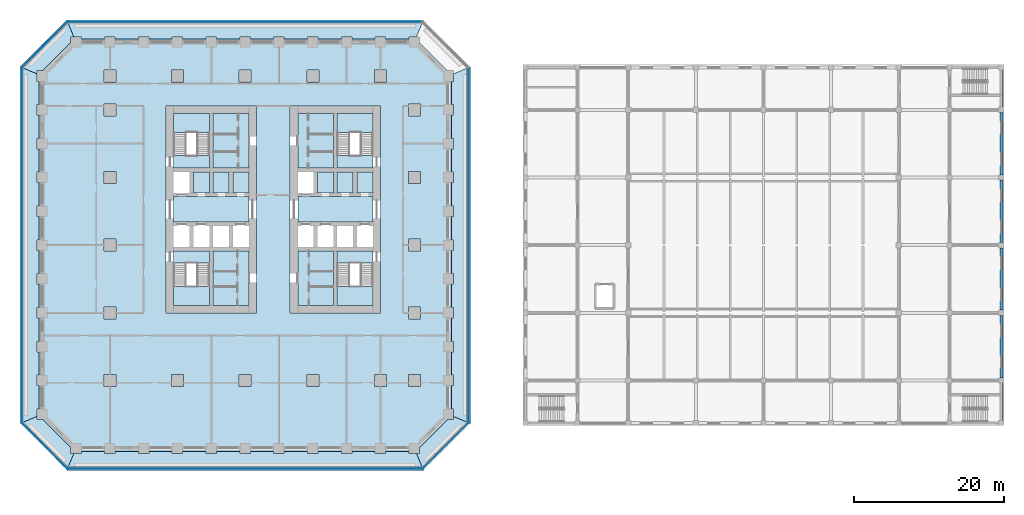
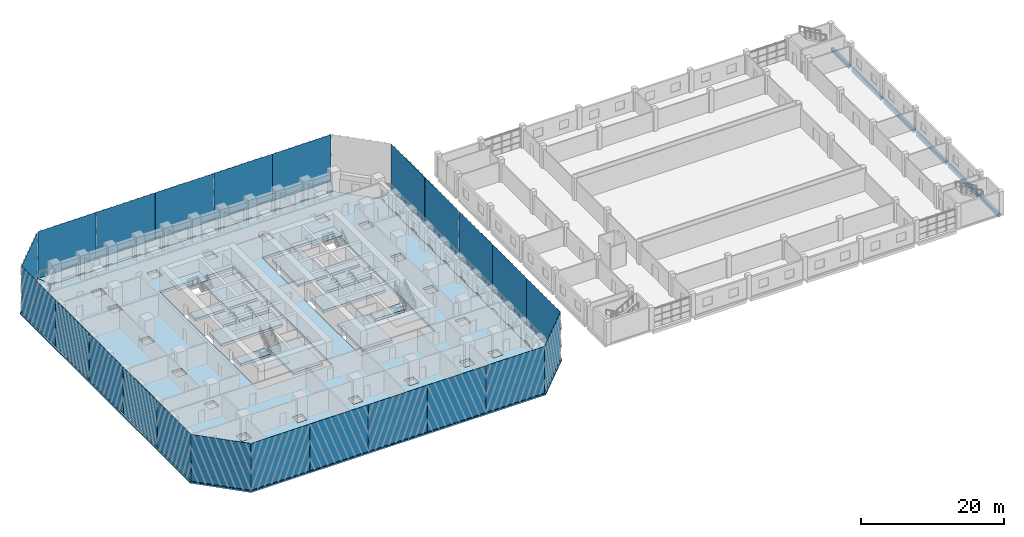
# One storey, part 9 of 31: 28 slabs, 23 plates, 6 beams, 4 elements without a shape of their own.
"""IFC4 building model written with IfcOpenShell, lengths in metres."""

from ifc_helpers import new_model, si_unit, direction, frame, origin, origin_2d, place, context, subcontext, project, spatial, polyline, rectangle, outline, extrude, material, layer, layer_set, material_profile, profile_set, type_object, element, aggregate, save


model = new_model("IFC4")

# Units and contexts
model_context = context("Model", 3, precision=1e-05, world=origin(), true_north=direction((0.0, 1.0)))
body_context = subcontext(model_context, "Body", "Model", "MODEL_VIEW")
ifc_project = project(units=[si_unit("LENGTHUNIT", "METRE"), si_unit("AREAUNIT", "SQUARE_METRE"), si_unit("VOLUMEUNIT", "CUBIC_METRE"), si_unit("PLANEANGLEUNIT", "RADIAN"), si_unit("MASSUNIT", "GRAM", prefix="KILO")], contexts=[model_context])

# Site, building, storey
site_placement = place(None, origin())
site = spatial("IfcSite", under=ifc_project, at=site_placement, CompositionType="ELEMENT")
building_placement = place(site_placement, origin())
building = spatial("IfcBuilding", under=site, at=building_placement, Name="Corbel Stack Research Tower", CompositionType="ELEMENT")
storey_placement = place(building_placement, frame((0.0, 0.0, 15.39990234375)))
storey = spatial("IfcBuildingStorey", under=building, at=storey_placement, Name="L03", CompositionType="ELEMENT", Elevation=15.39990234375)

# Beams
ifc_material_1 = material(Name="Concrete C40/50", Category="concrete")
ifc_material_profile = material_profile(ifc_material_1, rectangle(XDim=0.39990234375, YDim=0.60009765625, at=origin_2d()), Name="RC 400 x 600")
ifc_profile_set = profile_set([ifc_material_profile], Name="Concrete C40/50")
beam_type = type_object("IfcBeamType", Name="HB1 RC beam 400 x 600", PredefinedType="BEAM", material=ifc_profile_set)
beam_1_placement = place(storey_placement, frame((100.60009765625, -23.300048828125, -0.5498046875), z_axis=(0.0, 1.0, 0.0), x_axis=(-1.0, 0.0, 0.0)))
element("IfcBeam", 1, at=beam_1_placement, inside=storey, type_object=beam_type, Name="Floor beam L03 H9HA-H9HB", PredefinedType="BEAM", context=body_context, shape_type="SweptSolid", body=[
    extrude(rectangle(XDim=0.39990234375, YDim=0.60009765625, at=origin_2d()), origin(), (0.0, 0.0, 1.0), 4.949951171875),
])
for number, where, z_axis, x_axis, name in (
    (2, (100.60009765625, -17.64990234375, -0.5498046875), (0.0, 1.0, 0.0), (-1.0, 0.0, 0.0), "Floor beam L03 H9HB-H9HC"),
    (3, (100.60009765625, -8.64990234375, -0.5498046875), (0.0, 1.0, 0.0), (-1.0, 0.0, 0.0), "Floor beam L03 H9HC-H9HD"),
    (4, (100.60009765625, 0.35009765625, -0.5498046875), (0.0, 1.0, 0.0), (-1.0, 0.0, 0.0), "Floor beam L03 H9HD-H9HE"),
    (5, (100.60009765625, 9.35009765625, -0.5498046875), (0.0, 1.0, 0.0), (-1.0, 0.0, 0.0), "Floor beam L03 H9HE-H9HF"),
):
    element("IfcBeam", number, at=place(storey_placement, frame(where, z_axis=z_axis, x_axis=x_axis)), inside=storey, type_object=beam_type, Name=name, PredefinedType="BEAM", context=body_context, shape_type="SweptSolid", body=[
        extrude(rectangle(XDim=0.39990234375, YDim=0.60009765625, at=origin_2d()), origin(), (0.0, 0.0, 1.0), 8.2998046875),
    ])
beam_2_placement = place(storey_placement, frame((100.60009765625, 18.35009765625, -0.5498046875), z_axis=(0.0, 1.0, 0.0), x_axis=(-1.0, 0.0, 0.0)))
element("IfcBeam", 6, at=beam_2_placement, inside=storey, type_object=beam_type, Name="Floor beam L03 H9HF-H9HG", PredefinedType="BEAM", context=body_context, shape_type="SweptSolid", body=[
    extrude(rectangle(XDim=0.39990234375, YDim=0.60009765625, at=origin_2d()), origin(), (0.0, 0.0, 1.0), 4.949951171875),
])

# Plates
ifc_material_2 = material(Name="Fritted glass", Category="glass")
ifc_layer_1 = layer(ifc_material_2, 0.02490234375)
ifc_layer_set_1 = layer_set([ifc_layer_1], Name="Fritted glass")
plate_type = type_object("IfcPlateType", Name="Fritted glass panel 25", PredefinedType="SHEET", material=ifc_layer_set_1)
for number, where, z_axis, x_axis, name in (
    (7, (-18.911376953125, -29.737548828125, 0.0), (0.0, 0.0, 1.0), (1.0, 0.0, 0.0), "Fritted glass L03 S1"),
    (8, (-9.45556640625, -29.737548828125, 0.0), (0.0, 0.0, 1.0), (1.0, 0.0, 0.0), "Fritted glass L03 S2"),
    (9, (0.0, -29.737548828125, 0.0), (0.0, 0.0, 1.0), (1.0, 0.0, 0.0), "Fritted glass L03 S3"),
    (10, (9.45556640625, -29.737548828125, 0.0), (0.0, 0.0, 1.0), (1.0, 0.0, 0.0), "Fritted glass L03 S4"),
    (11, (18.911376953125, -29.737548828125, 0.0), (0.0, 0.0, 1.0), (1.0, 0.0, 0.0), "Fritted glass L03 S5"),
):
    element("IfcPlate", number, at=place(storey_placement, frame(where, z_axis=z_axis, x_axis=x_axis)), inside=storey, type_object=plate_type, Name=name, PredefinedType="SHEET", context=body_context, shape_type="SweptSolid", body=[
        extrude(rectangle(XDim=9.3955078125, YDim=0.02490234375, at=origin_2d()), origin(), (0.0, 0.0, 1.0), 7.949951171875),
    ])
plate_1_placement = place(storey_placement, frame((26.685791015625, -26.685791015625, 0.0), z_axis=(0.0, 0.0, 1.0), x_axis=(0.707106781187, 0.707106781187, 0.0)))
element("IfcPlate", 12, at=plate_1_placement, inside=storey, type_object=plate_type, Name="Fritted glass L03 SE1", PredefinedType="SHEET", context=body_context, shape_type="SweptSolid", body=[
    extrude(rectangle(XDim=8.58203125, YDim=0.02490234375, at=origin_2d()), origin(), (0.0, 0.0, 1.0), 7.949951171875),
])
for number, where, z_axis, x_axis, name in (
    (13, (29.737548828125, -18.911376953125, 0.0), (0.0, 0.0, 1.0), (0.0, 1.0, 0.0), "Fritted glass L03 E1"),
    (14, (29.737548828125, -9.45556640625, 0.0), (0.0, 0.0, 1.0), (0.0, 1.0, 0.0), "Fritted glass L03 E2"),
    (15, (29.737548828125, 0.0, 0.0), (0.0, 0.0, 1.0), (0.0, 1.0, 0.0), "Fritted glass L03 E3"),
    (16, (29.737548828125, 9.45556640625, 0.0), (0.0, 0.0, 1.0), (0.0, 1.0, 0.0), "Fritted glass L03 E4"),
    (17, (29.737548828125, 18.911376953125, 0.0), (0.0, 0.0, 1.0), (0.0, 1.0, 0.0), "Fritted glass L03 E5"),
    (18, (18.911376953125, 29.737548828125, 0.0), (0.0, 0.0, 1.0), (-1.0, 0.0, 0.0), "Fritted glass L03 N1"),
    (19, (9.45556640625, 29.737548828125, 0.0), (0.0, 0.0, 1.0), (-1.0, 0.0, 0.0), "Fritted glass L03 N2"),
    (20, (0.0, 29.737548828125, 0.0), (0.0, 0.0, 1.0), (-1.0, 0.0, 0.0), "Fritted glass L03 N3"),
    (21, (-9.45556640625, 29.737548828125, 0.0), (0.0, 0.0, 1.0), (-1.0, 0.0, 0.0), "Fritted glass L03 N4"),
    (22, (-18.911376953125, 29.737548828125, 0.0), (0.0, 0.0, 1.0), (-1.0, 0.0, 0.0), "Fritted glass L03 N5"),
):
    element("IfcPlate", number, at=place(storey_placement, frame(where, z_axis=z_axis, x_axis=x_axis)), inside=storey, type_object=plate_type, Name=name, PredefinedType="SHEET", context=body_context, shape_type="SweptSolid", body=[
        extrude(rectangle(XDim=9.3955078125, YDim=0.02490234375, at=origin_2d()), origin(), (0.0, 0.0, 1.0), 7.949951171875),
    ])
plate_2_placement = place(storey_placement, frame((-26.685791015625, 26.685791015625, 0.0), z_axis=(0.0, 0.0, 1.0), x_axis=(-0.707106781187, -0.707106781187, 0.0)))
element("IfcPlate", 23, at=plate_2_placement, inside=storey, type_object=plate_type, Name="Fritted glass L03 NW1", PredefinedType="SHEET", context=body_context, shape_type="SweptSolid", body=[
    extrude(rectangle(XDim=8.58203125, YDim=0.02490234375, at=origin_2d()), origin(), (0.0, 0.0, 1.0), 7.949951171875),
])
for number, where, z_axis, x_axis, name in (
    (24, (-29.737548828125, 18.911376953125, 0.0), (0.0, 0.0, 1.0), (0.0, -1.0, 0.0), "Fritted glass L03 W1"),
    (25, (-29.737548828125, 9.45556640625, 0.0), (0.0, 0.0, 1.0), (0.0, -1.0, 0.0), "Fritted glass L03 W2"),
    (26, (-29.737548828125, 0.0, 0.0), (0.0, 0.0, 1.0), (0.0, -1.0, 0.0), "Fritted glass L03 W3"),
    (27, (-29.737548828125, -9.45556640625, 0.0), (0.0, 0.0, 1.0), (0.0, -1.0, 0.0), "Fritted glass L03 W4"),
    (28, (-29.737548828125, -18.911376953125, 0.0), (0.0, 0.0, 1.0), (0.0, -1.0, 0.0), "Fritted glass L03 W5"),
):
    element("IfcPlate", number, at=place(storey_placement, frame(where, z_axis=z_axis, x_axis=x_axis)), inside=storey, type_object=plate_type, Name=name, PredefinedType="SHEET", context=body_context, shape_type="SweptSolid", body=[
        extrude(rectangle(XDim=9.3955078125, YDim=0.02490234375, at=origin_2d()), origin(), (0.0, 0.0, 1.0), 7.949951171875),
    ])
plate_3_placement = place(storey_placement, frame((-26.685791015625, -26.685791015625, 0.0), z_axis=(0.0, 0.0, 1.0), x_axis=(0.707106781187, -0.707106781187, 0.0)))
element("IfcPlate", 29, at=plate_3_placement, inside=storey, type_object=plate_type, Name="Fritted glass L03 SW1", PredefinedType="SHEET", context=body_context, shape_type="SweptSolid", body=[
    extrude(rectangle(XDim=8.58203125, YDim=0.02490234375, at=origin_2d()), origin(), (0.0, 0.0, 1.0), 7.949951171875),
])

# Slabs
ifc_material_3 = material(Name="Concrete C45/55", Category="concrete")
ifc_layer_2 = layer(ifc_material_3, 0.25)
ifc_layer_set_2 = layer_set([ifc_layer_2], Name="Concrete C45/55")
slab_type_1 = type_object("IfcSlabType", Name="PT balcony slab 250 C45/55", PredefinedType="FLOOR", material=ifc_layer_set_2)
slab_1_placement = place(storey_placement, frame((0.0, 0.0, -0.25)))
element("IfcSlab", 30, at=slab_1_placement, inside=storey, type_object=slab_type_1, Name="Loggia slab L03 S", PredefinedType="FLOOR", context=body_context, shape_type="SweptSolid", body=[
    extrude(outline(polyline([(22.789794921875, -27.699951171875), (21.800048828125, -27.699951171875), (21.800048828125, -27.449951171875), (18.699951171875, -27.449951171875), (18.699951171875, -27.699951171875), (17.300048828125, -27.699951171875), (17.300048828125, -27.449951171875), (14.199951171875, -27.449951171875), (14.199951171875, -27.699951171875), (12.800048828125, -27.699951171875), (12.800048828125, -27.449951171875), (9.699951171875, -27.449951171875), (9.699951171875, -27.699951171875), (8.300048828125, -27.699951171875), (8.300048828125, -27.449951171875), (5.199951171875, -27.449951171875), (5.199951171875, -27.699951171875), (3.800048828125, -27.699951171875), (3.800048828125, -27.449951171875), (0.699951171875, -27.449951171875), (0.699951171875, -27.699951171875), (-0.699951171875, -27.699951171875), (-0.699951171875, -27.449951171875), (-3.800048828125, -27.449951171875), (-3.800048828125, -27.699951171875), (-5.199951171875, -27.699951171875), (-5.199951171875, -27.449951171875), (-8.300048828125, -27.449951171875), (-8.300048828125, -27.699951171875), (-9.699951171875, -27.699951171875), (-9.699951171875, -27.449951171875), (-12.800048828125, -27.449951171875), (-12.800048828125, -27.699951171875), (-14.199951171875, -27.699951171875), (-14.199951171875, -27.449951171875), (-17.300048828125, -27.449951171875), (-17.300048828125, -27.699951171875), (-18.699951171875, -27.699951171875), (-18.699951171875, -27.449951171875), (-21.800048828125, -27.449951171875), (-21.800048828125, -27.699951171875), (-22.789794921875, -27.699951171875), (-23.721923828125, -29.949951171875), (23.721923828125, -29.949951171875), (22.789794921875, -27.699951171875)])), origin(), (0.0, 0.0, 1.0), 0.25),
])
slab_2_placement = place(storey_placement, frame((0.0, 0.0, -0.25)))
element("IfcSlab", 31, at=slab_2_placement, inside=storey, type_object=slab_type_1, Name="Loggia slab L03 SE", PredefinedType="FLOOR", context=body_context, shape_type="SweptSolid", body=[
    extrude(outline(polyline([(27.699951171875, -22.789794921875), (27.699951171875, -23.199951171875), (26.936279296875, -23.199951171875), (23.199951171875, -26.936279296875), (23.199951171875, -27.699951171875), (22.789794921875, -27.699951171875), (23.721923828125, -29.949951171875), (29.949951171875, -23.721923828125), (27.699951171875, -22.789794921875)])), origin(), (0.0, 0.0, 1.0), 0.25),
])
slab_3_placement = place(storey_placement, frame((0.0, 0.0, -0.25)))
element("IfcSlab", 32, at=slab_3_placement, inside=storey, type_object=slab_type_1, Name="Loggia slab L03 E", PredefinedType="FLOOR", context=body_context, shape_type="SweptSolid", body=[
    extrude(outline(polyline([(27.699951171875, 22.789794921875), (27.699951171875, 21.800048828125), (27.449951171875, 21.800048828125), (27.449951171875, 18.699951171875), (27.699951171875, 18.699951171875), (27.699951171875, 17.300048828125), (27.449951171875, 17.300048828125), (27.449951171875, 14.199951171875), (27.699951171875, 14.199951171875), (27.699951171875, 12.800048828125), (27.449951171875, 12.800048828125), (27.449951171875, 9.699951171875), (27.699951171875, 9.699951171875), (27.699951171875, 8.300048828125), (27.449951171875, 8.300048828125), (27.449951171875, 5.199951171875), (27.699951171875, 5.199951171875), (27.699951171875, 3.800048828125), (27.449951171875, 3.800048828125), (27.449951171875, 0.699951171875), (27.699951171875, 0.699951171875), (27.699951171875, -0.699951171875), (27.449951171875, -0.699951171875), (27.449951171875, -3.800048828125), (27.699951171875, -3.800048828125), (27.699951171875, -5.199951171875), (27.449951171875, -5.199951171875), (27.449951171875, -8.300048828125), (27.699951171875, -8.300048828125), (27.699951171875, -9.699951171875), (27.449951171875, -9.699951171875), (27.449951171875, -12.800048828125), (27.699951171875, -12.800048828125), (27.699951171875, -14.199951171875), (27.449951171875, -14.199951171875), (27.449951171875, -17.300048828125), (27.699951171875, -17.300048828125), (27.699951171875, -18.699951171875), (27.449951171875, -18.699951171875), (27.449951171875, -21.800048828125), (27.699951171875, -21.800048828125), (27.699951171875, -22.789794921875), (29.949951171875, -23.721923828125), (29.949951171875, 23.721923828125), (27.699951171875, 22.789794921875)])), origin(), (0.0, 0.0, 1.0), 0.25),
])
slab_4_placement = place(storey_placement, frame((0.0, 0.0, -0.25)))
element("IfcSlab", 33, at=slab_4_placement, inside=storey, type_object=slab_type_1, Name="Loggia slab L03 N", PredefinedType="FLOOR", context=body_context, shape_type="SweptSolid", body=[
    extrude(outline(polyline([(-22.789794921875, 27.699951171875), (-21.800048828125, 27.699951171875), (-21.800048828125, 27.449951171875), (-18.699951171875, 27.449951171875), (-18.699951171875, 27.699951171875), (-17.300048828125, 27.699951171875), (-17.300048828125, 27.449951171875), (-14.199951171875, 27.449951171875), (-14.199951171875, 27.699951171875), (-12.800048828125, 27.699951171875), (-12.800048828125, 27.449951171875), (-9.699951171875, 27.449951171875), (-9.699951171875, 27.699951171875), (-8.300048828125, 27.699951171875), (-8.300048828125, 27.449951171875), (-5.199951171875, 27.449951171875), (-5.199951171875, 27.699951171875), (-3.800048828125, 27.699951171875), (-3.800048828125, 27.449951171875), (-0.699951171875, 27.449951171875), (-0.699951171875, 27.699951171875), (0.699951171875, 27.699951171875), (0.699951171875, 27.449951171875), (3.800048828125, 27.449951171875), (3.800048828125, 27.699951171875), (5.199951171875, 27.699951171875), (5.199951171875, 27.449951171875), (8.300048828125, 27.449951171875), (8.300048828125, 27.699951171875), (9.699951171875, 27.699951171875), (9.699951171875, 27.449951171875), (12.800048828125, 27.449951171875), (12.800048828125, 27.699951171875), (14.199951171875, 27.699951171875), (14.199951171875, 27.449951171875), (17.300048828125, 27.449951171875), (17.300048828125, 27.699951171875), (18.699951171875, 27.699951171875), (18.699951171875, 27.449951171875), (21.800048828125, 27.449951171875), (21.800048828125, 27.699951171875), (22.789794921875, 27.699951171875), (23.721923828125, 29.949951171875), (-23.721923828125, 29.949951171875), (-22.789794921875, 27.699951171875)])), origin(), (0.0, 0.0, 1.0), 0.25),
])
slab_5_placement = place(storey_placement, frame((0.0, 0.0, -0.25)))
element("IfcSlab", 34, at=slab_5_placement, inside=storey, type_object=slab_type_1, Name="Loggia slab L03 NW", PredefinedType="FLOOR", context=body_context, shape_type="SweptSolid", body=[
    extrude(outline(polyline([(-27.699951171875, 22.789794921875), (-27.699951171875, 23.199951171875), (-26.936279296875, 23.199951171875), (-23.199951171875, 26.936279296875), (-23.199951171875, 27.699951171875), (-22.789794921875, 27.699951171875), (-23.721923828125, 29.949951171875), (-29.949951171875, 23.721923828125), (-27.699951171875, 22.789794921875)])), origin(), (0.0, 0.0, 1.0), 0.25),
])
slab_6_placement = place(storey_placement, frame((0.0, 0.0, -0.25)))
element("IfcSlab", 35, at=slab_6_placement, inside=storey, type_object=slab_type_1, Name="Loggia slab L03 W", PredefinedType="FLOOR", context=body_context, shape_type="SweptSolid", body=[
    extrude(outline(polyline([(-27.699951171875, -22.789794921875), (-27.699951171875, -21.800048828125), (-27.449951171875, -21.800048828125), (-27.449951171875, -18.699951171875), (-27.699951171875, -18.699951171875), (-27.699951171875, -17.300048828125), (-27.449951171875, -17.300048828125), (-27.449951171875, -14.199951171875), (-27.699951171875, -14.199951171875), (-27.699951171875, -12.800048828125), (-27.449951171875, -12.800048828125), (-27.449951171875, -9.699951171875), (-27.699951171875, -9.699951171875), (-27.699951171875, -8.300048828125), (-27.449951171875, -8.300048828125), (-27.449951171875, -5.199951171875), (-27.699951171875, -5.199951171875), (-27.699951171875, -3.800048828125), (-27.449951171875, -3.800048828125), (-27.449951171875, -0.699951171875), (-27.699951171875, -0.699951171875), (-27.699951171875, 0.699951171875), (-27.449951171875, 0.699951171875), (-27.449951171875, 3.800048828125), (-27.699951171875, 3.800048828125), (-27.699951171875, 5.199951171875), (-27.449951171875, 5.199951171875), (-27.449951171875, 8.300048828125), (-27.699951171875, 8.300048828125), (-27.699951171875, 9.699951171875), (-27.449951171875, 9.699951171875), (-27.449951171875, 12.800048828125), (-27.699951171875, 12.800048828125), (-27.699951171875, 14.199951171875), (-27.449951171875, 14.199951171875), (-27.449951171875, 17.300048828125), (-27.699951171875, 17.300048828125), (-27.699951171875, 18.699951171875), (-27.449951171875, 18.699951171875), (-27.449951171875, 21.800048828125), (-27.699951171875, 21.800048828125), (-27.699951171875, 22.789794921875), (-29.949951171875, 23.721923828125), (-29.949951171875, -23.721923828125), (-27.699951171875, -22.789794921875)])), origin(), (0.0, 0.0, 1.0), 0.25),
])
slab_7_placement = place(storey_placement, frame((0.0, 0.0, -0.25)))
element("IfcSlab", 36, at=slab_7_placement, inside=storey, type_object=slab_type_1, Name="Loggia slab L03 SW", PredefinedType="FLOOR", context=body_context, shape_type="SweptSolid", body=[
    extrude(outline(polyline([(-22.789794921875, -27.699951171875), (-23.199951171875, -27.699951171875), (-23.199951171875, -26.936279296875), (-26.936279296875, -23.199951171875), (-27.699951171875, -23.199951171875), (-27.699951171875, -22.789794921875), (-29.949951171875, -23.721923828125), (-23.721923828125, -29.949951171875), (-22.789794921875, -27.699951171875)])), origin(), (0.0, 0.0, 1.0), 0.25),
])
ifc_material_4 = material(Name="Concrete C45/55", Category="concrete")
ifc_layer_3 = layer(ifc_material_4, 0.449951171875)
ifc_layer_set_3 = layer_set([ifc_layer_3], Name="Concrete C45/55")
slab_type_2 = type_object("IfcSlabType", Name="PT-450", PredefinedType="FLOOR", material=ifc_layer_set_3)
slab_8_placement = place(storey_placement, frame((0.0, 0.0, -0.449951171875)))
element("IfcSlab", 37, at=slab_8_placement, inside=storey, type_object=slab_type_2, Name="Floor slab L03", PredefinedType="FLOOR", context=body_context, shape_type="SweptSolid", body=[
    extrude(outline(polyline([(-22.686279296875, -27.449951171875), (22.686279296875, -27.449951171875), (27.449951171875, -22.686279296875), (27.449951171875, 22.686279296875), (22.686279296875, 27.449951171875), (-22.686279296875, 27.449951171875), (-27.449951171875, 22.686279296875), (-27.449951171875, -22.686279296875), (-22.686279296875, -27.449951171875)]), holes=[polyline([(23.300048828125, 17.199951171875), (21.699951171875, 17.199951171875), (21.699951171875, 18.800048828125), (23.300048828125, 18.800048828125), (23.300048828125, 17.199951171875)]), polyline([(21.699951171875, 8.199951171875), (21.699951171875, 9.800048828125), (23.300048828125, 9.800048828125), (23.300048828125, 8.199951171875), (21.699951171875, 8.199951171875)]), polyline([(23.300048828125, -0.800048828125), (21.699951171875, -0.800048828125), (21.699951171875, 0.800048828125), (23.300048828125, 0.800048828125), (23.300048828125, -0.800048828125)]), polyline([(21.699951171875, -9.800048828125), (21.699951171875, -8.199951171875), (23.300048828125, -8.199951171875), (23.300048828125, -9.800048828125), (21.699951171875, -9.800048828125)]), polyline([(21.699951171875, -18.800048828125), (21.699951171875, -17.199951171875), (23.300048828125, -17.199951171875), (23.300048828125, -18.800048828125), (21.699951171875, -18.800048828125)]), polyline([(17.199951171875, 21.699951171875), (17.199951171875, 23.300048828125), (18.800048828125, 23.300048828125), (18.800048828125, 21.699951171875), (17.199951171875, 21.699951171875)]), polyline([(18.800048828125, -18.800048828125), (17.199951171875, -18.800048828125), (17.199951171875, -17.199951171875), (18.800048828125, -17.199951171875), (18.800048828125, -18.800048828125)]), polyline([(6.0, -9.0), (6.0, 18.5), (18.0, 18.5), (18.0, -9.0), (6.0, -9.0)]), polyline([(8.199951171875, 21.699951171875), (8.199951171875, 23.300048828125), (9.800048828125, 23.300048828125), (9.800048828125, 21.699951171875), (8.199951171875, 21.699951171875)]), polyline([(9.800048828125, -18.800048828125), (8.199951171875, -18.800048828125), (8.199951171875, -17.199951171875), (9.800048828125, -17.199951171875), (9.800048828125, -18.800048828125)]), polyline([(1.5, -9.0), (-10.5, -9.0), (-10.5, 18.5), (1.5, 18.5), (1.5, -9.0)]), polyline([(0.800048828125, 21.699951171875), (-0.800048828125, 21.699951171875), (-0.800048828125, 23.300048828125), (0.800048828125, 23.300048828125), (0.800048828125, 21.699951171875)]), polyline([(0.800048828125, -18.800048828125), (-0.800048828125, -18.800048828125), (-0.800048828125, -17.199951171875), (0.800048828125, -17.199951171875), (0.800048828125, -18.800048828125)]), polyline([(-9.800048828125, 21.699951171875), (-9.800048828125, 23.300048828125), (-8.199951171875, 23.300048828125), (-8.199951171875, 21.699951171875), (-9.800048828125, 21.699951171875)]), polyline([(-8.199951171875, -18.800048828125), (-9.800048828125, -18.800048828125), (-9.800048828125, -17.199951171875), (-8.199951171875, -17.199951171875), (-8.199951171875, -18.800048828125)]), polyline([(-18.800048828125, 21.699951171875), (-18.800048828125, 23.300048828125), (-17.199951171875, 23.300048828125), (-17.199951171875, 21.699951171875), (-18.800048828125, 21.699951171875)]), polyline([(-17.199951171875, 17.199951171875), (-18.800048828125, 17.199951171875), (-18.800048828125, 18.800048828125), (-17.199951171875, 18.800048828125), (-17.199951171875, 17.199951171875)]), polyline([(-17.199951171875, 8.199951171875), (-18.800048828125, 8.199951171875), (-18.800048828125, 9.800048828125), (-17.199951171875, 9.800048828125), (-17.199951171875, 8.199951171875)]), polyline([(-18.800048828125, -0.800048828125), (-18.800048828125, 0.800048828125), (-17.199951171875, 0.800048828125), (-17.199951171875, -0.800048828125), (-18.800048828125, -0.800048828125)]), polyline([(-18.800048828125, -9.800048828125), (-18.800048828125, -8.199951171875), (-17.199951171875, -8.199951171875), (-17.199951171875, -9.800048828125), (-18.800048828125, -9.800048828125)]), polyline([(-17.199951171875, -18.800048828125), (-18.800048828125, -18.800048828125), (-18.800048828125, -17.199951171875), (-17.199951171875, -17.199951171875), (-17.199951171875, -18.800048828125)])]), origin(), (0.0, 0.0, 1.0), 0.449951171875),
])
slab_9_placement = place(storey_placement, frame((0.0, 0.0, -0.449951171875)))
element("IfcSlab", 38, at=slab_9_placement, inside=storey, type_object=slab_type_2, Name="West core floor L03", PredefinedType="FLOOR", context=body_context, shape_type="SweptSolid", body=[
    extrude(outline(polyline([(-9.5, 6.449951171875), (-9.5, 3.050048828125), (0.5, 3.050048828125), (0.5, 6.449951171875), (-9.5, 6.449951171875)])), origin(), (0.0, 0.0, 1.0), 0.449951171875),
])
slab_10_placement = place(storey_placement, frame((0.0, 0.0, -0.449951171875)))
element("IfcSlab", 39, at=slab_10_placement, inside=storey, type_object=slab_type_2, Name="West core floor L03", PredefinedType="FLOOR", context=body_context, shape_type="SweptSolid", body=[
    extrude(outline(polyline([(-6.875, 6.949951171875), (-4.75, 6.949951171875), (-4.75, 9.75), (-6.875, 9.75), (-6.875, 6.949951171875)])), origin(), (0.0, 0.0, 1.0), 0.449951171875),
])
slab_11_placement = place(storey_placement, frame((0.0, 0.0, -0.449951171875)))
element("IfcSlab", 40, at=slab_11_placement, inside=storey, type_object=slab_type_2, Name="West core floor L03", PredefinedType="FLOOR", context=body_context, shape_type="SweptSolid", body=[
    extrude(outline(polyline([(-4.25, -0.75), (-4.25, -8.0), (0.5, -8.0), (0.5, -0.75), (-4.25, -0.75)])), origin(), (0.0, 0.0, 1.0), 0.449951171875),
])
slab_12_placement = place(storey_placement, frame((0.0, 0.0, -0.449951171875)))
element("IfcSlab", 41, at=slab_12_placement, inside=storey, type_object=slab_type_2, Name="West core floor L03", PredefinedType="FLOOR", context=body_context, shape_type="SweptSolid", body=[
    extrude(outline(polyline([(-2.125, 6.949951171875), (-2.125, 9.75), (-4.25, 9.75), (-4.25, 6.949951171875), (-2.125, 6.949951171875)])), origin(), (0.0, 0.0, 1.0), 0.449951171875),
])
slab_13_placement = place(storey_placement, frame((0.0, 0.0, -0.449951171875)))
element("IfcSlab", 42, at=slab_13_placement, inside=storey, type_object=slab_type_2, Name="West core floor L03", PredefinedType="FLOOR", context=body_context, shape_type="SweptSolid", body=[
    extrude(outline(polyline([(-4.25, 17.5), (-4.25, 10.25), (0.5, 10.25), (0.5, 17.5), (-4.25, 17.5)])), origin(), (0.0, 0.0, 1.0), 0.449951171875),
])
slab_14_placement = place(storey_placement, frame((0.0, 0.0, -0.449951171875)))
element("IfcSlab", 43, at=slab_14_placement, inside=storey, type_object=slab_type_2, Name="West core floor L03", PredefinedType="FLOOR", context=body_context, shape_type="SweptSolid", body=[
    extrude(outline(polyline([(0.5, 6.949951171875), (0.5, 9.75), (-1.625, 9.75), (-1.625, 6.949951171875), (0.5, 6.949951171875)])), origin(), (0.0, 0.0, 1.0), 0.449951171875),
])
slab_15_placement = place(storey_placement, frame((0.0, 0.0, -0.449951171875)))
element("IfcSlab", 44, at=slab_15_placement, inside=storey, type_object=slab_type_2, Name="East core floor L03", PredefinedType="FLOOR", context=body_context, shape_type="SweptSolid", body=[
    extrude(outline(polyline([(7.0, -0.75), (7.0, -8.0), (11.75, -8.0), (11.75, -0.75), (7.0, -0.75)])), origin(), (0.0, 0.0, 1.0), 0.449951171875),
])
slab_16_placement = place(storey_placement, frame((0.0, 0.0, -0.449951171875)))
element("IfcSlab", 45, at=slab_16_placement, inside=storey, type_object=slab_type_2, Name="East core floor L03", PredefinedType="FLOOR", context=body_context, shape_type="SweptSolid", body=[
    extrude(outline(polyline([(7.0, 6.449951171875), (7.0, 3.050048828125), (17.0, 3.050048828125), (17.0, 6.449951171875), (7.0, 6.449951171875)])), origin(), (0.0, 0.0, 1.0), 0.449951171875),
])
slab_17_placement = place(storey_placement, frame((0.0, 0.0, -0.449951171875)))
element("IfcSlab", 46, at=slab_17_placement, inside=storey, type_object=slab_type_2, Name="East core floor L03", PredefinedType="FLOOR", context=body_context, shape_type="SweptSolid", body=[
    extrude(outline(polyline([(7.0, 17.5), (7.0, 10.25), (11.75, 10.25), (11.75, 17.5), (7.0, 17.5)])), origin(), (0.0, 0.0, 1.0), 0.449951171875),
])
slab_18_placement = place(storey_placement, frame((0.0, 0.0, -0.449951171875)))
element("IfcSlab", 47, at=slab_18_placement, inside=storey, type_object=slab_type_2, Name="East core floor L03", PredefinedType="FLOOR", context=body_context, shape_type="SweptSolid", body=[
    extrude(outline(polyline([(9.625, 6.949951171875), (11.75, 6.949951171875), (11.75, 9.75), (9.625, 9.75), (9.625, 6.949951171875)])), origin(), (0.0, 0.0, 1.0), 0.449951171875),
])
slab_19_placement = place(storey_placement, frame((0.0, 0.0, -0.449951171875)))
element("IfcSlab", 48, at=slab_19_placement, inside=storey, type_object=slab_type_2, Name="East core floor L03", PredefinedType="FLOOR", context=body_context, shape_type="SweptSolid", body=[
    extrude(outline(polyline([(14.375, 6.949951171875), (14.375, 9.75), (12.25, 9.75), (12.25, 6.949951171875), (14.375, 6.949951171875)])), origin(), (0.0, 0.0, 1.0), 0.449951171875),
])
slab_20_placement = place(storey_placement, frame((0.0, 0.0, -0.449951171875)))
element("IfcSlab", 49, at=slab_20_placement, inside=storey, type_object=slab_type_2, Name="East core floor L03", PredefinedType="FLOOR", context=body_context, shape_type="SweptSolid", body=[
    extrude(outline(polyline([(17.0, 6.949951171875), (17.0, 9.75), (14.875, 9.75), (14.875, 6.949951171875), (17.0, 6.949951171875)])), origin(), (0.0, 0.0, 1.0), 0.449951171875),
])
slab_21_placement = place(storey_placement, frame((0.0, 0.0, -0.449951171875)))
element("IfcSlab", 50, at=slab_21_placement, inside=storey, type_object=slab_type_2, Name="Stair floor landing ST-W1", PredefinedType="FLOOR", context=body_context, shape_type="SweptSolid", body=[
    extrude(outline(polyline([(-9.5, -2.39990234375), (-4.75, -2.39990234375), (-4.75, -0.75), (-9.5, -0.75), (-9.5, -2.39990234375)])), origin(), (0.0, 0.0, 1.0), 0.449951171875),
])
slab_22_placement = place(storey_placement, frame((0.0, 0.0, -0.449951171875)))
element("IfcSlab", 51, at=slab_22_placement, inside=storey, type_object=slab_type_2, Name="Stair floor landing ST-W2", PredefinedType="FLOOR", context=body_context, shape_type="SweptSolid", body=[
    extrude(outline(polyline([(-9.5, 10.25), (-4.75, 10.25), (-4.75, 11.89990234375), (-9.5, 11.89990234375), (-9.5, 10.25)])), origin(), (0.0, 0.0, 1.0), 0.449951171875),
])
slab_23_placement = place(storey_placement, frame((0.0, 0.0, -0.449951171875)))
element("IfcSlab", 52, at=slab_23_placement, inside=storey, type_object=slab_type_2, Name="Stair floor landing ST-E1", PredefinedType="FLOOR", context=body_context, shape_type="SweptSolid", body=[
    extrude(outline(polyline([(12.25, -2.39990234375), (17.0, -2.39990234375), (17.0, -0.75), (12.25, -0.75), (12.25, -2.39990234375)])), origin(), (0.0, 0.0, 1.0), 0.449951171875),
])
slab_24_placement = place(storey_placement, frame((0.0, 0.0, -0.449951171875)))
element("IfcSlab", 53, at=slab_24_placement, inside=storey, type_object=slab_type_2, Name="Stair floor landing ST-E2", PredefinedType="FLOOR", context=body_context, shape_type="SweptSolid", body=[
    extrude(outline(polyline([(12.25, 10.25), (17.0, 10.25), (17.0, 11.89990234375), (12.25, 11.89990234375), (12.25, 10.25)])), origin(), (0.0, 0.0, 1.0), 0.449951171875),
])

# Stair, slab
ifc_material_5 = material(Name="Concrete C40/50", Category="concrete")
stair_type = type_object("IfcStairType", Name="Exit stair 24 risers", PredefinedType="HALF_TURN_STAIR", material=ifc_material_5)
stair_1_placement = place(storey_placement, origin())
stair_1 = element("IfcStair", 54, at=stair_1_placement, inside=storey, type_object=stair_type, Name="L03 Exit stair ST-W1", PredefinedType="HALF_TURN_STAIR")
ifc_material_6 = material(Name="Concrete C40/50", Category="concrete")
ifc_layer_4 = layer(ifc_material_6, 0.199951171875)
ifc_layer_set_4 = layer_set([ifc_layer_4], Name="Concrete C40/50")
slab_type_3 = type_object("IfcSlabType", Name="Stair landing 200 C40/50", PredefinedType="LANDING", material=ifc_layer_set_4)
slab_25_placement = place(storey_placement, frame((0.0, 0.0, 1.85009765625)))
slab_25 = element("IfcSlab", 55, at=slab_25_placement, type_object=slab_type_3, Name="ST-W1 landing 1", PredefinedType="LANDING", context=body_context, shape_type="SweptSolid", body=[
    extrude(outline(polyline([(-9.5, -8.0), (-9.5, -5.47998046875), (-4.75, -5.47998046875), (-4.75, -8.0), (-9.5, -8.0)])), origin(), (0.0, 0.0, 1.0), 0.199951171875),
])
aggregate(stair_1, [slab_25])

stair_2_placement = place(storey_placement, origin())
stair_2 = element("IfcStair", 56, at=stair_2_placement, inside=storey, type_object=stair_type, Name="L03 Exit stair ST-W2", PredefinedType="HALF_TURN_STAIR")
slab_26_placement = place(storey_placement, frame((0.0, 0.0, 1.85009765625)))
slab_26 = element("IfcSlab", 57, at=slab_26_placement, type_object=slab_type_3, Name="ST-W2 landing 1", PredefinedType="LANDING", context=body_context, shape_type="SweptSolid", body=[
    extrude(outline(polyline([(-9.5, 14.97998046875), (-9.5, 17.5), (-4.75, 17.5), (-4.75, 14.97998046875), (-9.5, 14.97998046875)])), origin(), (0.0, 0.0, 1.0), 0.199951171875),
])
aggregate(stair_2, [slab_26])

stair_3_placement = place(storey_placement, origin())
stair_3 = element("IfcStair", 58, at=stair_3_placement, inside=storey, type_object=stair_type, Name="L03 Exit stair ST-E1", PredefinedType="HALF_TURN_STAIR")
slab_27_placement = place(storey_placement, frame((0.0, 0.0, 1.85009765625)))
slab_27 = element("IfcSlab", 59, at=slab_27_placement, type_object=slab_type_3, Name="ST-E1 landing 1", PredefinedType="LANDING", context=body_context, shape_type="SweptSolid", body=[
    extrude(outline(polyline([(12.25, -8.0), (12.25, -5.47998046875), (17.0, -5.47998046875), (17.0, -8.0), (12.25, -8.0)])), origin(), (0.0, 0.0, 1.0), 0.199951171875),
])
aggregate(stair_3, [slab_27])

stair_4_placement = place(storey_placement, origin())
stair_4 = element("IfcStair", 60, at=stair_4_placement, inside=storey, type_object=stair_type, Name="L03 Exit stair ST-E2", PredefinedType="HALF_TURN_STAIR")
slab_28_placement = place(storey_placement, frame((0.0, 0.0, 1.85009765625)))
slab_28 = element("IfcSlab", 61, at=slab_28_placement, type_object=slab_type_3, Name="ST-E2 landing 1", PredefinedType="LANDING", context=body_context, shape_type="SweptSolid", body=[
    extrude(outline(polyline([(12.25, 14.97998046875), (12.25, 17.5), (17.0, 17.5), (17.0, 14.97998046875), (12.25, 14.97998046875)])), origin(), (0.0, 0.0, 1.0), 0.199951171875),
])
aggregate(stair_4, [slab_28])

save(model, "model.ifc")
